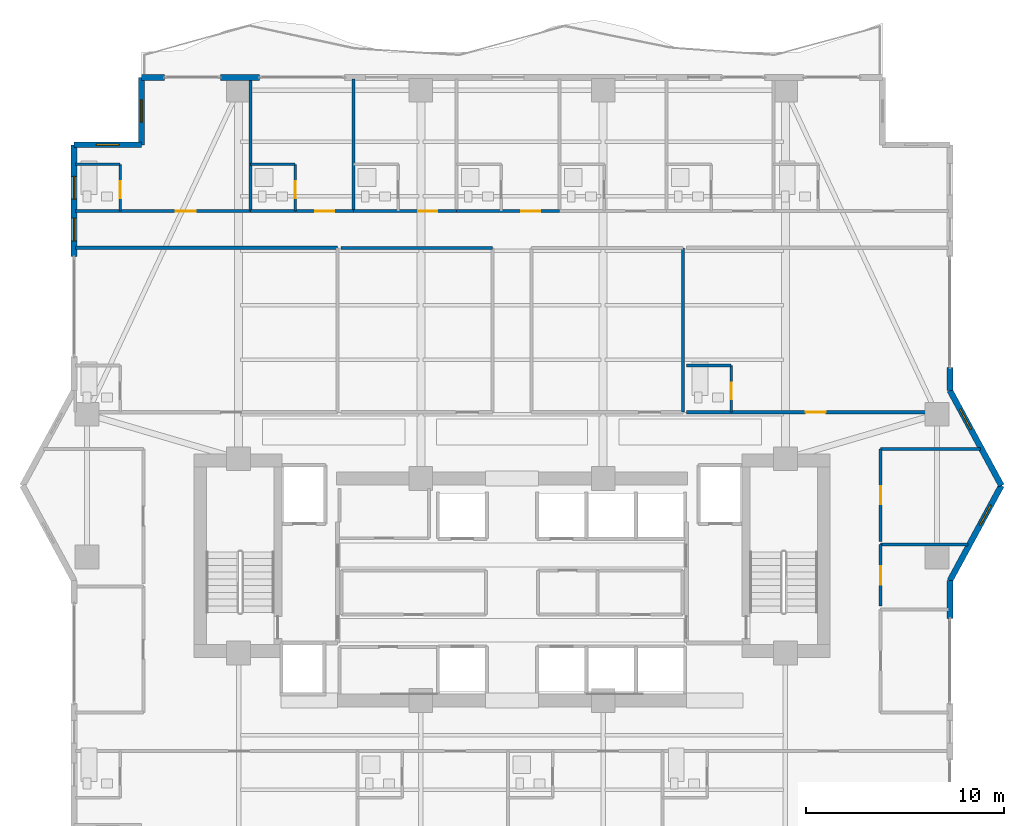
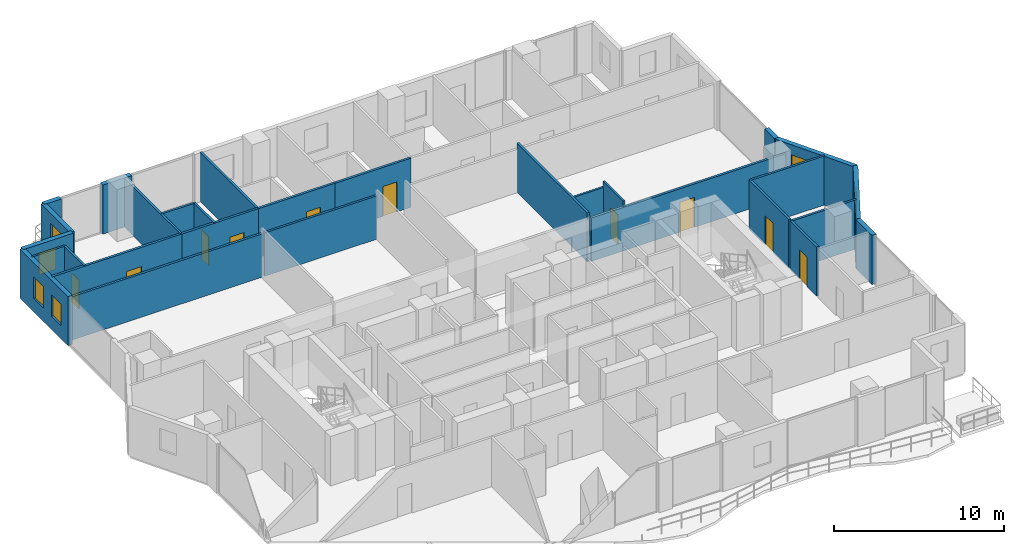
# One storey, part 27 of 33: 29 walls, 10 doors, 6 windows, 16 openings.
"""IFC4 building model written with IfcOpenShell, lengths in metres."""

import ifcopenshell
import ifcopenshell.guid

model = None  # the IFC model being written
_history = None  # IfcOwnerHistory: only IFC2X3 demands one
_inside = {}  # id of a spatial element -> (the spatial element, [elements in it])
_under = {}  # id of a project, library or spatial element -> (it, [spatial elements below it])
_declared = {}  # id of a project -> (the project, [libraries it declares])
_typed = {}  # id of a type object -> (the type object, [elements of that type])
_made_of = {}  # id of a material, layer set ... -> (it, [elements and type objects made of it])


def new_model(schema):
    """Start an empty IFC model of exactly this schema.

    Asked for "IFC4X3", IfcOpenShell would pick the latest addendum, in which some entities
    have other attributes; the version numbers below select the first issue.
    IFC2X3 requires an IfcOwnerHistory on every rooted entity: one is made here for all.
    """
    global model, _history
    if schema == "IFC4X3":
        model = ifcopenshell.file(schema_version=(4, 3, 0, 0))
    else:
        model = ifcopenshell.file(schema=schema)
    _inside.clear()
    _under.clear()
    _declared.clear()
    _typed.clear()
    _made_of.clear()
    _history = None
    if model.schema == "IFC2X3":
        org = make("IfcOrganization", Name="unknown")
        user = make(
            "IfcPersonAndOrganization",
            ThePerson=make("IfcPerson", FamilyName="unknown"),
            TheOrganization=org,
        )
        app = make(
            "IfcApplication",
            ApplicationDeveloper=org,
            Version="unknown",
            ApplicationFullName="unknown",
            ApplicationIdentifier="unknown",
        )
        _history = make(
            "IfcOwnerHistory",
            OwningUser=user,
            OwningApplication=app,
            ChangeAction="ADDED",
            CreationDate=0,
        )
    return model


def make(cls, **values):
    """One entity of the class cls with the attributes given. An attribute that is None is left unset."""
    return model.create_entity(
        cls, **{name: value for name, value in values.items() if value is not None}
    )


def rooted(cls, **values):
    """An entity with a GlobalId (a new one), such as an element, a storey or a relation."""
    return make(cls, GlobalId=ifcopenshell.guid.new(), OwnerHistory=_history, **values)


def si_unit(unit_type, name, prefix=None):
    """IfcSIUnit, for example si_unit("LENGTHUNIT", "METRE", prefix="MILLI")."""
    return make("IfcSIUnit", UnitType=unit_type, Prefix=prefix, Name=name)


def assignment(units):
    """IfcUnitAssignment: the units of a project."""
    return None if units is None else make("IfcUnitAssignment", Units=units)


def point(xyz):
    """IfcCartesianPoint."""
    return None if xyz is None else make("IfcCartesianPoint", Coordinates=xyz)


def direction(xyz):
    """IfcDirection."""
    return None if xyz is None else make("IfcDirection", DirectionRatios=xyz)


def frame(location, z_axis=None, x_axis=None):
    """IfcAxis2Placement3D, a coordinate frame: its origin and axes. An axis left out is left unset."""
    return make(
        "IfcAxis2Placement3D",
        Location=point(location),
        Axis=direction(z_axis),
        RefDirection=direction(x_axis),
    )


def frame_2d(location, x_axis=None):
    """IfcAxis2Placement2D, a coordinate frame in the plane: its origin and x axis."""
    return make(
        "IfcAxis2Placement2D", Location=point(location), RefDirection=direction(x_axis)
    )


def origin():
    """The frame at (0, 0, 0) with its axes left unset."""
    return frame((0.0, 0.0, 0.0))


def place(relative_to, where):
    """IfcLocalPlacement: puts the frame where relative to a parent placement (None: the world)."""
    return make(
        "IfcLocalPlacement", PlacementRelTo=relative_to, RelativePlacement=where
    )


def context(
    kind, dimensions, precision=None, world=None, true_north=None, identifier=None
):
    """IfcGeometricRepresentationContext, for example the 3D "Model" context."""
    return make(
        "IfcGeometricRepresentationContext",
        ContextIdentifier=identifier,
        ContextType=kind,
        CoordinateSpaceDimension=dimensions,
        Precision=precision,
        WorldCoordinateSystem=world,
        TrueNorth=true_north,
    )


def subcontext(parent, identifier, kind, view, scale=None):
    """IfcGeometricRepresentationSubContext, for example "Body" below "Model"."""
    return make(
        "IfcGeometricRepresentationSubContext",
        ContextIdentifier=identifier,
        ContextType=kind,
        ParentContext=parent,
        TargetScale=scale,
        TargetView=view,
    )


def project(units=None, contexts=None):
    """IfcProject with its units and contexts."""
    return rooted(
        "IfcProject",
        Name="project",
        RepresentationContexts=contexts,
        UnitsInContext=assignment(units),
    )


def spatial(cls, under=None, at=None, **own):
    """A site, building, storey or space (cls), placed at a placement, below another one or the project."""
    s = rooted(cls, ObjectPlacement=at, **own)
    if under is not None:
        _under.setdefault(under.id(), (under, []))[1].append(s)
    return s


def profile(cls, at=None, kind="AREA", **sizes):
    """A parametric profile (cls). Its sizes go by their IFC names, for example OverallWidth=200.0."""
    return make(cls, ProfileType=kind, Position=at, **sizes)


def rectangle(**sizes):
    """IfcRectangleProfileDef."""
    return profile("IfcRectangleProfileDef", **sizes)


def extrude(swept, where, along, depth):
    """IfcExtrudedAreaSolid: the profile swept, set in the frame where, extruded along a direction by depth."""
    return make(
        "IfcExtrudedAreaSolid",
        SweptArea=swept,
        Position=where,
        ExtrudedDirection=direction(along),
        Depth=depth,
    )


def shape(context_of_items, identifier, shape_type, items):
    """IfcShapeRepresentation: the items that make up one representation, for example the "Body"."""
    return make(
        "IfcShapeRepresentation",
        ContextOfItems=context_of_items,
        RepresentationIdentifier=identifier,
        RepresentationType=shape_type,
        Items=items,
    )


def material(Name=None, Category=None):
    """IfcMaterial."""
    return make("IfcMaterial", Name=Name, Category=Category)


def layer(
    of_material, thickness, ventilated=None, Name=None, Category=None, Priority=None
):
    """IfcMaterialLayer: one layer of a wall or slab, of a material (None: an air gap)."""
    return make(
        "IfcMaterialLayer",
        Material=of_material,
        LayerThickness=thickness,
        IsVentilated=ventilated,
        Name=Name,
        Category=Category,
        Priority=Priority,
    )


def layer_set(layers, Name=None):
    """IfcMaterialLayerSet."""
    return make("IfcMaterialLayerSet", MaterialLayers=layers, LayerSetName=Name)


def made_of(thing, what):
    """Note that an element or type object is made of a material, layer set ...; save() writes the relation."""
    if what is not None:
        _made_of.setdefault(what.id(), (what, []))[1].append(thing)
    return thing


def type_object(cls, material=None, **own):
    """A type object (cls), such as IfcWallType, which elements share."""
    return made_of(rooted(cls, **own), material)


def element(
    cls,
    number,
    at=None,
    inside=None,
    cuts=None,
    type_object=None,
    material=None,
    context=None,
    identifier="Body",
    shape_type=None,
    held_by="IfcProductDefinitionShape",
    body=None,
    shapes=None,
    **own,
):
    """One element of the class cls, such as IfcWall. Its Tag is "e" and its number.

    at: its placement. inside: the storey or other place that contains it. cuts: it is an
    opening in that element (IfcRelVoidsElement). A single representation is given by context,
    identifier, shape_type and body (its items); several are given by shapes. held_by: the class
    of the entity that holds the representations. save() writes the other relations.
    """
    e = rooted(cls, Tag="e%d" % number, ObjectPlacement=at, **own)
    if body is not None:
        shapes = [shape(context, identifier, shape_type, body)]
    if shapes is not None:
        e.Representation = make(held_by, Representations=shapes)
    if inside is not None:
        _inside.setdefault(inside.id(), (inside, []))[1].append(e)
    if cuts is not None:
        rooted(
            "IfcRelVoidsElement", RelatingBuildingElement=cuts, RelatedOpeningElement=e
        )
    if type_object is not None:
        _typed.setdefault(type_object.id(), (type_object, []))[1].append(e)
    return made_of(e, material)


def fill(opening, filler):
    """IfcRelFillsElement: the door or window that sits in an opening."""
    return rooted(
        "IfcRelFillsElement",
        RelatingOpeningElement=opening,
        RelatedBuildingElement=filler,
    )


def aggregate(whole, parts):
    """IfcRelAggregates: a whole, such as a stair, and the parts it consists of."""
    return rooted("IfcRelAggregates", RelatingObject=whole, RelatedObjects=parts)


def save(model, path):
    """Write the relations noted so far, then the file.

    IfcRelAggregates (storeys below a building ...), IfcRelContainedInSpatialStructure (elements
    in a storey), IfcRelDefinesByType, IfcRelAssociatesMaterial and IfcRelDeclares: one each for
    every whole, place, type object, material and project.
    """
    for whole, parts in _under.values():
        aggregate(whole, parts)
    for where, things in _inside.values():
        rooted(
            "IfcRelContainedInSpatialStructure",
            RelatedElements=things,
            RelatingStructure=where,
        )
    for kind, things in _typed.values():
        rooted("IfcRelDefinesByType", RelatedObjects=things, RelatingType=kind)
    for what, things in _made_of.values():
        rooted("IfcRelAssociatesMaterial", RelatedObjects=things, RelatingMaterial=what)
    for by, libraries in _declared.values():
        rooted("IfcRelDeclares", RelatingContext=by, RelatedDefinitions=libraries)
    model.write(path)


model = new_model("IFC4")

# Units and contexts
model_context = context("Model", 3, precision=1e-05, world=origin(), true_north=direction((0.0, 1.0)))
body_context = subcontext(model_context, "Body", "Model", "MODEL_VIEW")
ifc_project = project(units=[si_unit("LENGTHUNIT", "METRE"), si_unit("AREAUNIT", "SQUARE_METRE"), si_unit("VOLUMEUNIT", "CUBIC_METRE"), si_unit("PLANEANGLEUNIT", "RADIAN"), si_unit("MASSUNIT", "GRAM", prefix="KILO")], contexts=[model_context])

# Site, building, storey
site_placement = place(None, origin())
site = spatial("IfcSite", under=ifc_project, at=site_placement, CompositionType="ELEMENT")
building_placement = place(site_placement, origin())
building = spatial("IfcBuilding", under=site, at=building_placement, Name="Zuhayl Quay Hotel", CompositionType="ELEMENT")
storey_placement = place(building_placement, frame((0.0, 0.0, 199.89990234375)))
storey = spatial("IfcBuildingStorey", under=building, at=storey_placement, Name="L50", CompositionType="ELEMENT", Elevation=199.89990234375)

# Wall, openings, windows
ifc_material_1 = material(Name="Precast concrete C45/55", Category="concrete")
ifc_layer_1 = layer(ifc_material_1, 0.300048828125, Name="Precast concrete C45/55", Category="concrete")
ifc_layer_set_1 = layer_set([ifc_layer_1], Name="Precast concrete C45/55")
wall_type_1 = type_object("IfcWallType", Name="WL_EXT_300", PredefinedType="STANDARD", material=ifc_layer_set_1)
wall_1_placement = place(storey_placement, frame((-22.10009765625, 24.550048828125, 0.0), z_axis=(0.0, 0.0, 1.0), x_axis=(0.0, 1.0, 0.0)))
wall_1 = element("IfcWall", 1, at=wall_1_placement, inside=storey, type_object=wall_type_1, Name="L50 Exterior Precast Wall ENV_L50_E05_EW2", PredefinedType="STANDARD", context=body_context, shape_type="SweptSolid", body=[
    extrude(rectangle(XDim=5.64990234375, YDim=0.300048828125, at=frame_2d((2.824951171875, 0.0))), origin(), (0.0, 0.0, 1.0), 3.530029296875),
])
opening_1_placement = place(wall_1_placement, frame((0.800048828125, 0.0, 0.949951171875)))
opening_1 = element("IfcOpeningElement", 2, at=opening_1_placement, cuts=wall_1, Name="Opening W01N", PredefinedType="OPENING", context=body_context, shape_type="SweptSolid", body=[
    extrude(rectangle(XDim=1.14990234375, YDim=1.550048828125, at=frame_2d((0.574951171875, 0.77490234375))), frame((0.0, 0.159912109375, 0.0), z_axis=(0.0, -1.0, 0.0), x_axis=(1.0, 0.0, 0.0)), (0.0, 0.0, 1.0), 0.320068359375),
])
opening_2_placement = place(wall_1_placement, frame((2.905029296875, 0.0, 0.949951171875)))
opening_2 = element("IfcOpeningElement", 3, at=opening_2_placement, cuts=wall_1, Name="Opening W01N", PredefinedType="OPENING", context=body_context, shape_type="SweptSolid", body=[
    extrude(rectangle(XDim=1.14990234375, YDim=1.550048828125, at=frame_2d((0.574951171875, 0.77490234375))), frame((0.0, 0.159912109375, 0.0), z_axis=(0.0, -1.0, 0.0), x_axis=(1.0, 0.0, 0.0)), (0.0, 0.0, 1.0), 0.320068359375),
])
ifc_material_2 = material(Name="Dark Ceramic-Fritted Solar Glass", Category="glass")
window_type = type_object("IfcWindowType", Name="WN_NOTCH_1350", PartitioningType="SINGLE_PANEL", PredefinedType="WINDOW", material=ifc_material_2)
window_1_placement = place(opening_1_placement, origin())
window_1 = element("IfcWindow", 4, at=window_1_placement, inside=storey, type_object=window_type, Name="L50 Operable Facade Window 2-1", OverallHeight=1.550048828125, OverallWidth=1.14990234375, PartitioningType="SINGLE_PANEL", PredefinedType="WINDOW", context=body_context, shape_type="SweptSolid", body=[
    extrude(rectangle(XDim=1.14990234375, YDim=1.550048828125, at=frame_2d((0.574951171875, 0.77490234375))), frame((0.0, 0.030029296875, 0.0), z_axis=(0.0, -1.0, 0.0), x_axis=(1.0, 0.0, 0.0)), (0.0, 0.0, 1.0), 0.06005859375),
])
fill(opening_1, window_1)
window_2_placement = place(opening_2_placement, origin())
window_2 = element("IfcWindow", 5, at=window_2_placement, inside=storey, type_object=window_type, Name="L50 Operable Facade Window 2-2", OverallHeight=1.550048828125, OverallWidth=1.14990234375, PartitioningType="SINGLE_PANEL", PredefinedType="WINDOW", context=body_context, shape_type="SweptSolid", body=[
    extrude(rectangle(XDim=1.14990234375, YDim=1.550048828125, at=frame_2d((0.574951171875, 0.77490234375))), frame((0.0, 0.030029296875, 0.0), z_axis=(0.0, -1.0, 0.0), x_axis=(1.0, 0.0, 0.0)), (0.0, 0.0, 1.0), 0.06005859375),
])
fill(opening_2, window_2)

# Wall, opening, window
wall_2_placement = place(storey_placement, frame((-22.10009765625, 30.199951171875, 0.0), z_axis=(0.0, 0.0, 1.0), x_axis=(1.0, 0.0, 0.0)))
wall_2 = element("IfcWall", 6, at=wall_2_placement, inside=storey, type_object=wall_type_1, Name="L50 Exterior Precast Wall ENV_L50_EW06", PredefinedType="STANDARD", context=body_context, shape_type="SweptSolid", body=[
    extrude(rectangle(XDim=3.400146484375, YDim=0.300048828125, at=frame_2d((1.7001953125, 0.0))), origin(), (0.0, 0.0, 1.0), 3.530029296875),
])
opening_3_placement = place(wall_2_placement, frame((1.125, 0.0, 1.25)))
opening_3 = element("IfcOpeningElement", 7, at=opening_3_placement, cuts=wall_2, Name="Opening W01N", PredefinedType="OPENING", context=body_context, shape_type="SweptSolid", body=[
    extrude(rectangle(XDim=1.14990234375, YDim=1.550048828125, at=frame_2d((0.574951171875, 0.77490234375))), frame((0.0, 0.159912109375, 0.0), z_axis=(0.0, -1.0, 0.0), x_axis=(1.0, 0.0, 0.0)), (0.0, 0.0, 1.0), 0.320068359375),
])
window_3_placement = place(opening_3_placement, origin())
window_3 = element("IfcWindow", 8, at=window_3_placement, inside=storey, type_object=window_type, Name="L50 Corner Notch Window 6", OverallHeight=1.550048828125, OverallWidth=1.14990234375, PartitioningType="SINGLE_PANEL", PredefinedType="WINDOW", context=body_context, shape_type="SweptSolid", body=[
    extrude(rectangle(XDim=1.14990234375, YDim=1.550048828125, at=frame_2d((0.574951171875, 0.77490234375))), frame((0.0, 0.030029296875, 0.0), z_axis=(0.0, -1.0, 0.0), x_axis=(1.0, 0.0, 0.0)), (0.0, 0.0, 1.0), 0.06005859375),
])
fill(opening_3, window_3)

wall_3_placement = place(storey_placement, frame((-18.699951171875, 30.199951171875, 0.0), z_axis=(0.0, 0.0, 1.0), x_axis=(0.0, 1.0, 0.0)))
wall_3 = element("IfcWall", 9, at=wall_3_placement, inside=storey, type_object=wall_type_1, Name="L50 Exterior Precast Wall ENV_L50_EW07", PredefinedType="STANDARD", context=body_context, shape_type="SweptSolid", body=[
    extrude(rectangle(XDim=3.400146484375, YDim=0.300048828125, at=frame_2d((1.7001953125, 0.0))), origin(), (0.0, 0.0, 1.0), 3.530029296875),
])
opening_4_placement = place(wall_3_placement, frame((1.125, 0.0, 1.25)))
opening_4 = element("IfcOpeningElement", 10, at=opening_4_placement, cuts=wall_3, Name="Opening W01N", PredefinedType="OPENING", context=body_context, shape_type="SweptSolid", body=[
    extrude(rectangle(XDim=1.14990234375, YDim=1.550048828125, at=frame_2d((0.574951171875, 0.77490234375))), frame((0.0, 0.159912109375, 0.0), z_axis=(0.0, -1.0, 0.0), x_axis=(1.0, 0.0, 0.0)), (0.0, 0.0, 1.0), 0.320068359375),
])
window_4_placement = place(opening_4_placement, origin())
window_4 = element("IfcWindow", 11, at=window_4_placement, inside=storey, type_object=window_type, Name="L50 Corner Notch Window 7", OverallHeight=1.550048828125, OverallWidth=1.14990234375, PartitioningType="SINGLE_PANEL", PredefinedType="WINDOW", context=body_context, shape_type="SweptSolid", body=[
    extrude(rectangle(XDim=1.14990234375, YDim=1.550048828125, at=frame_2d((0.574951171875, 0.77490234375))), frame((0.0, 0.030029296875, 0.0), z_axis=(0.0, -1.0, 0.0), x_axis=(1.0, 0.0, 0.0)), (0.0, 0.0, 1.0), 0.06005859375),
])
fill(opening_4, window_4)

# Walls
wall_4_placement = place(storey_placement, frame((-18.699951171875, 33.60009765625, 0.0), z_axis=(0.0, 0.0, 1.0), x_axis=(1.0, 0.0, 0.0)))
element("IfcWall", 12, at=wall_4_placement, inside=storey, type_object=wall_type_1, Name="L50 Exterior Precast Wall ENV_L50_N_EW1", PredefinedType="STANDARD", context=body_context, shape_type="SweptSolid", body=[
    extrude(rectangle(XDim=1.14990234375, YDim=0.300048828125, at=frame_2d((0.574951171875, 0.0))), origin(), (0.0, 0.0, 1.0), 3.530029296875),
])
wall_5_placement = place(storey_placement, frame((-14.719970703125, 33.60009765625, 0.0), z_axis=(0.0, 0.0, 1.0), x_axis=(1.0, 0.0, 0.0)))
element("IfcWall", 13, at=wall_5_placement, inside=storey, type_object=wall_type_1, Name="L50 Exterior Precast Wall ENV_L50_N_EW2", PredefinedType="STANDARD", context=body_context, shape_type="SweptSolid", body=[
    extrude(rectangle(XDim=1.969970703125, YDim=0.300048828125, at=frame_2d((0.98486328125, 0.0))), origin(), (0.0, 0.0, 1.0), 3.530029296875),
])
wall_6_placement = place(storey_placement, frame((22.10009765625, 18.949951171875, 0.0), z_axis=(0.0, 0.0, 1.0), x_axis=(0.0, -1.0, 0.0)))
element("IfcWall", 14, at=wall_6_placement, inside=storey, type_object=wall_type_1, Name="L50 Exterior Precast Wall ENV_L50_E11_EW2", PredefinedType="STANDARD", context=body_context, shape_type="SweptSolid", body=[
    extrude(rectangle(XDim=1.14990234375, YDim=0.300048828125, at=frame_2d((0.574951171875, 0.0))), origin(), (0.0, 0.0, 1.0), 3.530029296875),
])

# Wall, opening, window
wall_7_placement = place(storey_placement, frame((22.10009765625, 17.800048828125, 0.0), z_axis=(0.0, 0.0, 1.0), x_axis=(0.476258655584, -0.879305233114, 0.0)))
wall_7 = element("IfcWall", 15, at=wall_7_placement, inside=storey, type_object=wall_type_1, Name="L50 Exterior Precast Wall ENV_L50_EW12", PredefinedType="STANDARD", context=body_context, shape_type="SweptSolid", body=[
    extrude(rectangle(XDim=5.458984375, YDim=0.300048828125, at=frame_2d((2.7294921875, 0.0))), origin(), (0.0, 0.0, 1.0), 3.530029296875),
])
opening_5_placement = place(wall_7_placement, frame((1.078125, 0.0, 1.25)))
opening_5 = element("IfcOpeningElement", 16, at=opening_5_placement, cuts=wall_7, Name="Opening W01N", PredefinedType="OPENING", context=body_context, shape_type="SweptSolid", body=[
    extrude(rectangle(XDim=1.14990234375, YDim=1.550048828125, at=frame_2d((0.574951171875, 0.77490234375))), frame((0.0, 0.159912109375, 0.0), z_axis=(0.0, -1.0, 0.0), x_axis=(1.0, 0.0, 0.0)), (0.0, 0.0, 1.0), 0.320068359375),
])
window_5_placement = place(opening_5_placement, origin())
window_5 = element("IfcWindow", 17, at=window_5_placement, inside=storey, type_object=window_type, Name="L50 Corner Notch Window 12", OverallHeight=1.550048828125, OverallWidth=1.14990234375, PartitioningType="SINGLE_PANEL", PredefinedType="WINDOW", context=body_context, shape_type="SweptSolid", body=[
    extrude(rectangle(XDim=1.14990234375, YDim=1.550048828125, at=frame_2d((0.574951171875, 0.77490234375))), frame((0.0, 0.030029296875, 0.0), z_axis=(0.0, -1.0, 0.0), x_axis=(1.0, 0.0, 0.0)), (0.0, 0.0, 1.0), 0.06005859375),
])
fill(opening_5, window_5)

wall_8_placement = place(storey_placement, frame((24.699951171875, 13.0, 0.0), z_axis=(0.0, 0.0, 1.0), x_axis=(-0.476258655584, -0.879305233114, 0.0)))
wall_8 = element("IfcWall", 18, at=wall_8_placement, inside=storey, type_object=wall_type_1, Name="L50 Exterior Precast Wall ENV_L50_EW13", PredefinedType="STANDARD", context=body_context, shape_type="SweptSolid", body=[
    extrude(rectangle(XDim=5.458984375, YDim=0.300048828125, at=frame_2d((2.7294921875, 0.0))), origin(), (0.0, 0.0, 1.0), 3.530029296875),
])
opening_6_placement = place(wall_8_placement, frame((1.123779296875, 0.0, 1.25)))
opening_6 = element("IfcOpeningElement", 19, at=opening_6_placement, cuts=wall_8, Name="Opening W01N", PredefinedType="OPENING", context=body_context, shape_type="SweptSolid", body=[
    extrude(rectangle(XDim=1.14990234375, YDim=1.550048828125, at=frame_2d((0.574951171875, 0.77490234375))), frame((0.0, 0.159912109375, 0.0), z_axis=(0.0, -1.0, 0.0), x_axis=(1.0, 0.0, 0.0)), (0.0, 0.0, 1.0), 0.320068359375),
])
window_6_placement = place(opening_6_placement, origin())
window_6 = element("IfcWindow", 20, at=window_6_placement, inside=storey, type_object=window_type, Name="L50 Corner Notch Window 13", OverallHeight=1.550048828125, OverallWidth=1.14990234375, PartitioningType="SINGLE_PANEL", PredefinedType="WINDOW", context=body_context, shape_type="SweptSolid", body=[
    extrude(rectangle(XDim=1.14990234375, YDim=1.550048828125, at=frame_2d((0.574951171875, 0.77490234375))), frame((0.0, 0.030029296875, 0.0), z_axis=(0.0, -1.0, 0.0), x_axis=(1.0, 0.0, 0.0)), (0.0, 0.0, 1.0), 0.06005859375),
])
fill(opening_6, window_6)

# Walls
wall_9_placement = place(storey_placement, frame((22.10009765625, 8.199951171875, 0.0), z_axis=(0.0, 0.0, 1.0), x_axis=(0.0, -1.0, 0.0)))
element("IfcWall", 21, at=wall_9_placement, inside=storey, type_object=wall_type_1, Name="L50 Exterior Precast Wall ENV_L50_E14_EW1", PredefinedType="STANDARD", context=body_context, shape_type="SweptSolid", body=[
    extrude(rectangle(XDim=1.89990234375, YDim=0.300048828125, at=frame_2d((0.949951171875, 0.0))), origin(), (0.0, 0.0, 1.0), 3.530029296875),
])
ifc_material_3 = material(Name="Acoustic Gypsum Partition STC-58")
ifc_layer_2 = layer(ifc_material_3, 0.14990234375, Name="Acoustic Gypsum Partition STC-58")
ifc_layer_set_2 = layer_set([ifc_layer_2], Name="Acoustic Gypsum Partition STC-58")
wall_type_2 = type_object("IfcWallType", Name="WL_PART_150", PredefinedType="PARTITIONING", material=ifc_layer_set_2)
for number, where, z_axis, x_axis, name in (
    (22, (-13.199951171875, 26.85009765625, 0.0), (0.0, 0.0, 1.0), (0.0, 1.0, 0.0), "L50 Partition IW_L50_NU01_E"),
    (23, (-8.0, 26.85009765625, 0.0), (0.0, 0.0, 1.0), (0.0, 1.0, 0.0), "L50 Partition IW_L50_NU02_E"),
):
    element("IfcWall", number, at=place(storey_placement, frame(where, z_axis=z_axis, x_axis=x_axis)), inside=storey, type_object=wall_type_2, Name=name, PredefinedType="PARTITIONING", context=body_context, shape_type="SweptSolid", body=[
        extrude(rectangle(XDim=6.669921875, YDim=0.14990234375, at=frame_2d((3.3349609375, 0.0))), origin(), (0.0, 0.0, 1.0), 3.530029296875),
    ])
wall_10_placement = place(storey_placement, frame((-8.639892578125, 25.0, 0.0), z_axis=(0.0, 0.0, 1.0), x_axis=(1.0, 0.0, 0.0)))
element("IfcWall", 24, at=wall_10_placement, inside=storey, type_object=wall_type_2, Name="L50 Partition IW_L50_Z3_MID_W_N", PredefinedType="PARTITIONING", context=body_context, shape_type="SweptSolid", body=[
    extrude(rectangle(XDim=7.659912109375, YDim=0.14990234375, at=frame_2d((3.830078125, 0.0))), origin(), (0.0, 0.0, 1.0), 3.1240234375),
])
wall_11_placement = place(storey_placement, frame((8.639892578125, 16.699951171875, 0.0), z_axis=(0.0, 0.0, 1.0), x_axis=(0.0, 1.0, 0.0)))
element("IfcWall", 25, at=wall_11_placement, inside=storey, type_object=wall_type_2, Name="L50 Partition IW_L50_Z3_MID_E_E", PredefinedType="PARTITIONING", context=body_context, shape_type="SweptSolid", body=[
    extrude(rectangle(XDim=8.300048828125, YDim=0.14990234375, at=frame_2d((4.14990234375, 0.0))), origin(), (0.0, 0.0, 1.0), 3.530029296875),
])
wall_12_placement = place(storey_placement, frame((18.60009765625, 10.02001953125, 0.0), z_axis=(0.0, 0.0, 1.0), x_axis=(1.0, 0.0, 0.0)))
element("IfcWall", 26, at=wall_12_placement, inside=storey, type_object=wall_type_2, Name="L50 Partition IW_L50_EFLK_2_N", PredefinedType="PARTITIONING", context=body_context, shape_type="SweptSolid", body=[
    extrude(rectangle(XDim=4.42578125, YDim=0.14990234375, at=frame_2d((2.212890625, 0.0))), origin(), (0.0, 0.0, 1.0), 3.530029296875),
])
wall_13_placement = place(storey_placement, frame((18.60009765625, 14.85009765625, 0.0), z_axis=(0.0, 0.0, 1.0), x_axis=(1.0, 0.0, 0.0)))
element("IfcWall", 27, at=wall_13_placement, inside=storey, type_object=wall_type_2, Name="L50 Partition IW_L50_EFLK_3_N", PredefinedType="PARTITIONING", context=body_context, shape_type="SweptSolid", body=[
    extrude(rectangle(XDim=5.037841796875, YDim=0.14990234375, at=frame_2d((2.51904296875, 0.0))), origin(), (0.0, 0.0, 1.0), 3.530029296875),
])

# Wall, opening, door
ifc_layer_3 = layer(ifc_material_3, 0.159912109375, Name="Acoustic Gypsum Partition STC-58")
ifc_layer_set_3 = layer_set([ifc_layer_3], Name="Acoustic Gypsum Partition STC-58")
wall_type_3 = type_object("IfcWallType", Name="WL_PART_CORR_160", PredefinedType="PARTITIONING", material=ifc_layer_set_3)
wall_14_placement = place(storey_placement, frame((-22.0400390625, 26.85009765625, 0.0), z_axis=(0.0, 0.0, 1.0), x_axis=(1.0, 0.0, 0.0)))
wall_14 = element("IfcWall", 28, at=wall_14_placement, inside=storey, type_object=wall_type_3, Name="L50 Partition IW_L50_NU01_COR", PredefinedType="PARTITIONING", context=body_context, shape_type="SweptSolid", body=[
    extrude(rectangle(XDim=8.840087890625, YDim=0.159912109375, at=frame_2d((4.419921875, 0.0))), origin(), (0.0, 0.0, 1.0), 3.530029296875),
])
opening_7_placement = place(wall_14_placement, frame((5.070068359375, 0.0, 0.0)))
opening_7 = element("IfcOpeningElement", 29, at=opening_7_placement, cuts=wall_14, Name="Opening D03L", PredefinedType="OPENING", context=body_context, shape_type="SweptSolid", body=[
    extrude(rectangle(XDim=1.0, YDim=2.14990234375, at=frame_2d((0.5, 1.074951171875))), frame((0.0, 0.08984375, 0.0), z_axis=(0.0, -1.0, 0.0), x_axis=(1.0, 0.0, 0.0)), (0.0, 0.0, 1.0), 0.179931640625),
])
ifc_material_4 = material(Name="Solid Walnut Acoustic Fire Door")
door_type_1 = type_object("IfcDoorType", Name="DR_SUITE_1000", OperationType="NOTDEFINED", PredefinedType="DOOR", material=ifc_material_4)
door_1_placement = place(opening_7_placement, origin())
door_1 = element("IfcDoor", 30, at=door_1_placement, inside=storey, type_object=door_type_1, Name="L50 Panoramic Gulf Guest Room L50-01 Entrance Door", OperationType="SINGLE_SWING_RIGHT", OverallHeight=2.14990234375, OverallWidth=1.0, PredefinedType="DOOR", context=body_context, shape_type="SweptSolid", body=[
    extrude(rectangle(XDim=1.0, YDim=2.14990234375, at=frame_2d((0.5, 1.074951171875))), frame((0.0, 0.02490234375, 0.0), z_axis=(0.0, -1.0, 0.0), x_axis=(1.0, 0.0, 0.0)), (0.0, 0.0, 1.0), 0.050048828125),
])
fill(opening_7, door_1)

wall_15_placement = place(storey_placement, frame((-13.199951171875, 26.85009765625, 0.0), z_axis=(0.0, 0.0, 1.0), x_axis=(1.0, 0.0, 0.0)))
wall_15 = element("IfcWall", 31, at=wall_15_placement, inside=storey, type_object=wall_type_3, Name="L50 Partition IW_L50_NU02_COR", PredefinedType="PARTITIONING", context=body_context, shape_type="SweptSolid", body=[
    extrude(rectangle(XDim=5.199951171875, YDim=0.159912109375, at=frame_2d((2.60009765625, 0.0))), origin(), (0.0, 0.0, 1.0), 3.530029296875),
])
opening_8_placement = place(wall_15_placement, frame((3.27490234375, 0.0, 0.0)))
opening_8 = element("IfcOpeningElement", 32, at=opening_8_placement, cuts=wall_15, Name="Opening D03", PredefinedType="OPENING", context=body_context, shape_type="SweptSolid", body=[
    extrude(rectangle(XDim=0.949951171875, YDim=2.14990234375, at=frame_2d((0.47509765625, 1.074951171875))), frame((0.0, 0.08984375, 0.0), z_axis=(0.0, -1.0, 0.0), x_axis=(1.0, 0.0, 0.0)), (0.0, 0.0, 1.0), 0.179931640625),
])
door_type_2 = type_object("IfcDoorType", Name="DR_SUITE_950", OperationType="NOTDEFINED", PredefinedType="DOOR", material=ifc_material_4)
door_2_placement = place(opening_8_placement, origin())
door_2 = element("IfcDoor", 33, at=door_2_placement, inside=storey, type_object=door_type_2, Name="L50 Panoramic Gulf Guest Room L50-02 Entrance Door", OperationType="SINGLE_SWING_RIGHT", OverallHeight=2.14990234375, OverallWidth=0.949951171875, PredefinedType="DOOR", context=body_context, shape_type="SweptSolid", body=[
    extrude(rectangle(XDim=0.949951171875, YDim=2.14990234375, at=frame_2d((0.47509765625, 1.074951171875))), frame((0.0, 0.02490234375, 0.0), z_axis=(0.0, -1.0, 0.0), x_axis=(1.0, 0.0, 0.0)), (0.0, 0.0, 1.0), 0.050048828125),
])
fill(opening_8, door_2)

wall_16_placement = place(storey_placement, frame((-8.0, 26.85009765625, 0.0), z_axis=(0.0, 0.0, 1.0), x_axis=(1.0, 0.0, 0.0)))
wall_16 = element("IfcWall", 34, at=wall_16_placement, inside=storey, type_object=wall_type_3, Name="L50 Partition IW_L50_NU03_COR", PredefinedType="PARTITIONING", context=body_context, shape_type="SweptSolid", body=[
    extrude(rectangle(XDim=5.199951171875, YDim=0.159912109375, at=frame_2d((2.60009765625, 0.0))), origin(), (0.0, 0.0, 1.0), 3.530029296875),
])
opening_9_placement = place(wall_16_placement, frame((3.27490234375, 0.0, 0.0)))
opening_9 = element("IfcOpeningElement", 35, at=opening_9_placement, cuts=wall_16, Name="Opening D03", PredefinedType="OPENING", context=body_context, shape_type="SweptSolid", body=[
    extrude(rectangle(XDim=0.949951171875, YDim=2.14990234375, at=frame_2d((0.47509765625, 1.074951171875))), frame((0.0, 0.08984375, 0.0), z_axis=(0.0, -1.0, 0.0), x_axis=(1.0, 0.0, 0.0)), (0.0, 0.0, 1.0), 0.179931640625),
])
door_3_placement = place(opening_9_placement, origin())
door_3 = element("IfcDoor", 36, at=door_3_placement, inside=storey, type_object=door_type_2, Name="L50 Panoramic Gulf Guest Room L50-03 Entrance Door", OperationType="SINGLE_SWING_RIGHT", OverallHeight=2.14990234375, OverallWidth=0.949951171875, PredefinedType="DOOR", context=body_context, shape_type="SweptSolid", body=[
    extrude(rectangle(XDim=0.949951171875, YDim=2.14990234375, at=frame_2d((0.47509765625, 1.074951171875))), frame((0.0, 0.02490234375, 0.0), z_axis=(0.0, -1.0, 0.0), x_axis=(1.0, 0.0, 0.0)), (0.0, 0.0, 1.0), 0.050048828125),
])
fill(opening_9, door_3)

wall_17_placement = place(storey_placement, frame((-2.800048828125, 26.85009765625, 0.0), z_axis=(0.0, 0.0, 1.0), x_axis=(1.0, 0.0, 0.0)))
wall_17 = element("IfcWall", 37, at=wall_17_placement, inside=storey, type_object=wall_type_3, Name="L50 Partition IW_L50_NU04_COR", PredefinedType="PARTITIONING", context=body_context, shape_type="SweptSolid", body=[
    extrude(rectangle(XDim=5.199951171875, YDim=0.159912109375, at=frame_2d((2.60009765625, 0.0))), origin(), (0.0, 0.0, 1.0), 3.530029296875),
])
opening_10_placement = place(wall_17_placement, frame((3.27490234375, 0.0, 0.0)))
opening_10 = element("IfcOpeningElement", 38, at=opening_10_placement, cuts=wall_17, Name="Opening D03", PredefinedType="OPENING", context=body_context, shape_type="SweptSolid", body=[
    extrude(rectangle(XDim=0.949951171875, YDim=2.14990234375, at=frame_2d((0.47509765625, 1.074951171875))), frame((0.0, 0.08984375, 0.0), z_axis=(0.0, -1.0, 0.0), x_axis=(1.0, 0.0, 0.0)), (0.0, 0.0, 1.0), 0.179931640625),
])
door_4_placement = place(opening_10_placement, origin())
door_4 = element("IfcDoor", 39, at=door_4_placement, inside=storey, type_object=door_type_2, Name="L50 Panoramic Gulf Guest Room L50-04 Entrance Door", OperationType="SINGLE_SWING_RIGHT", OverallHeight=2.14990234375, OverallWidth=0.949951171875, PredefinedType="DOOR", context=body_context, shape_type="SweptSolid", body=[
    extrude(rectangle(XDim=0.949951171875, YDim=2.14990234375, at=frame_2d((0.47509765625, 1.074951171875))), frame((0.0, 0.02490234375, 0.0), z_axis=(0.0, -1.0, 0.0), x_axis=(1.0, 0.0, 0.0)), (0.0, 0.0, 1.0), 0.050048828125),
])
fill(opening_10, door_4)

wall_18_placement = place(storey_placement, frame((8.800048828125, 16.699951171875, 0.0), z_axis=(0.0, 0.0, 1.0), x_axis=(1.0, 0.0, 0.0)))
wall_18 = element("IfcWall", 40, at=wall_18_placement, inside=storey, type_object=wall_type_3, Name="L50 Partition IW_L50_MU04_COR", PredefinedType="PARTITIONING", context=body_context, shape_type="SweptSolid", body=[
    extrude(rectangle(XDim=13.239990234375, YDim=0.159912109375, at=frame_2d((6.6201171875, 0.0))), origin(), (0.0, 0.0, 1.0), 3.1240234375),
])
opening_11_placement = place(wall_18_placement, frame((6.02490234375, 0.0, 0.0)))
opening_11 = element("IfcOpeningElement", 41, at=opening_11_placement, cuts=wall_18, Name="Opening D03L", PredefinedType="OPENING", context=body_context, shape_type="SweptSolid", body=[
    extrude(rectangle(XDim=1.0, YDim=2.14990234375, at=frame_2d((0.5, 1.074951171875))), frame((0.0, 0.08984375, 0.0), z_axis=(0.0, -1.0, 0.0), x_axis=(1.0, 0.0, 0.0)), (0.0, 0.0, 1.0), 0.179931640625),
])
door_5_placement = place(opening_11_placement, origin())
door_5 = element("IfcDoor", 42, at=door_5_placement, inside=storey, type_object=door_type_1, Name="L50 Club Junior Suite L50-M4 Entrance Door", OperationType="SINGLE_SWING_RIGHT", OverallHeight=2.14990234375, OverallWidth=1.0, PredefinedType="DOOR", context=body_context, shape_type="SweptSolid", body=[
    extrude(rectangle(XDim=1.0, YDim=2.14990234375, at=frame_2d((0.5, 1.074951171875))), frame((0.0, 0.02490234375, 0.0), z_axis=(0.0, -1.0, 0.0), x_axis=(1.0, 0.0, 0.0)), (0.0, 0.0, 1.0), 0.050048828125),
])
fill(opening_11, door_5)

wall_19_placement = place(storey_placement, frame((18.60009765625, 6.909912109375, 0.0), z_axis=(0.0, 0.0, 1.0), x_axis=(0.0, 1.0, 0.0)))
wall_19 = element("IfcWall", 43, at=wall_19_placement, inside=storey, type_object=wall_type_3, Name="L50 Partition IW_L50_EFLK_2_W", PredefinedType="PARTITIONING", context=body_context, shape_type="SweptSolid", body=[
    extrude(rectangle(XDim=3.110107421875, YDim=0.159912109375, at=frame_2d((1.55517578125, 0.0))), origin(), (0.0, 0.0, 1.0), 3.530029296875),
])
opening_12_placement = place(wall_19_placement, frame((1.094970703125, 0.0, 0.0)))
opening_12 = element("IfcOpeningElement", 44, at=opening_12_placement, cuts=wall_19, Name="Opening D05", PredefinedType="OPENING", context=body_context, shape_type="SweptSolid", body=[
    extrude(rectangle(XDim=0.919921875, YDim=2.1201171875, at=frame_2d((0.4599609375, 1.06005859375))), frame((0.0, 0.08984375, 0.0), z_axis=(0.0, -1.0, 0.0), x_axis=(1.0, 0.0, 0.0)), (0.0, 0.0, 1.0), 0.179931640625),
])
door_type_3 = type_object("IfcDoorType", Name="DR_INT_950", OperationType="NOTDEFINED", PredefinedType="DOOR", material=ifc_material_4)
door_6_placement = place(opening_12_placement, origin())
door_6 = element("IfcDoor", 45, at=door_6_placement, inside=storey, type_object=door_type_3, Name="L50 Floor Beverage Pantry Door", OperationType="SINGLE_SWING_RIGHT", OverallHeight=2.1201171875, OverallWidth=0.919921875, PredefinedType="DOOR", context=body_context, shape_type="SweptSolid", body=[
    extrude(rectangle(XDim=0.919921875, YDim=2.1201171875, at=frame_2d((0.4599609375, 1.06005859375))), frame((0.0, 0.02490234375, 0.0), z_axis=(0.0, -1.0, 0.0), x_axis=(1.0, 0.0, 0.0)), (0.0, 0.0, 1.0), 0.050048828125),
])
fill(opening_12, door_6)

wall_20_placement = place(storey_placement, frame((18.60009765625, 10.179931640625, 0.0), z_axis=(0.0, 0.0, 1.0), x_axis=(0.0, 1.0, 0.0)))
wall_20 = element("IfcWall", 46, at=wall_20_placement, inside=storey, type_object=wall_type_3, Name="L50 Partition IW_L50_EFLK_3_W", PredefinedType="PARTITIONING", context=body_context, shape_type="SweptSolid", body=[
    extrude(rectangle(XDim=4.670166015625, YDim=0.159912109375, at=frame_2d((2.3349609375, 0.0))), origin(), (0.0, 0.0, 1.0), 3.530029296875),
])
opening_13_placement = place(wall_20_placement, frame((1.875, 0.0, 0.0)))
opening_13 = element("IfcOpeningElement", 47, at=opening_13_placement, cuts=wall_20, Name="Opening D05", PredefinedType="OPENING", context=body_context, shape_type="SweptSolid", body=[
    extrude(rectangle(XDim=0.919921875, YDim=2.1201171875, at=frame_2d((0.4599609375, 1.06005859375))), frame((0.0, 0.08984375, 0.0), z_axis=(0.0, -1.0, 0.0), x_axis=(1.0, 0.0, 0.0)), (0.0, 0.0, 1.0), 0.179931640625),
])
door_7_placement = place(opening_13_placement, origin())
door_7 = element("IfcDoor", 48, at=door_7_placement, inside=storey, type_object=door_type_3, Name="L50 East Prow Office L50 Door", OperationType="SINGLE_SWING_LEFT", OverallHeight=2.1201171875, OverallWidth=0.919921875, PredefinedType="DOOR", context=body_context, shape_type="SweptSolid", body=[
    extrude(rectangle(XDim=0.919921875, YDim=2.1201171875, at=frame_2d((0.4599609375, 1.06005859375))), frame((0.0, 0.02490234375, 0.0), z_axis=(0.0, -1.0, 0.0), x_axis=(1.0, 0.0, 0.0)), (0.0, 0.0, 1.0), 0.050048828125),
])
fill(opening_13, door_7)

# Wall
wall_21_placement = place(storey_placement, frame((-22.0400390625, 25.0, 0.0), z_axis=(0.0, 0.0, 1.0), x_axis=(1.0, 0.0, 0.0)))
element("IfcWall", 49, at=wall_21_placement, inside=storey, type_object=wall_type_3, Name="L50 Partition IW_L50_MU01_BK", PredefinedType="PARTITIONING", context=body_context, shape_type="SweptSolid", body=[
    extrude(rectangle(XDim=13.239990234375, YDim=0.159912109375, at=frame_2d((6.6201171875, 0.0))), origin(), (0.0, 0.0, 1.0), 3.1240234375),
])

# Wall, opening, door
ifc_material_5 = material(Name="Moisture-Resistant Sanitarychase Gypsum")
ifc_layer_4 = layer(ifc_material_5, 0.135009765625, Name="Moisture-Resistant Sanitarychase Gypsum")
ifc_layer_set_4 = layer_set([ifc_layer_4], Name="Moisture-Resistant Sanitarychase Gypsum")
wall_type_4 = type_object("IfcWallType", Name="WL_PART_PLUMB_150", PredefinedType="PLUMBINGWALL", material=ifc_layer_set_4)
wall_22_placement = place(storey_placement, frame((-19.780029296875, 26.85009765625, 0.0), z_axis=(0.0, 0.0, 1.0), x_axis=(0.0, 1.0, 0.0)))
wall_22 = element("IfcWall", 50, at=wall_22_placement, inside=storey, type_object=wall_type_4, Name="L50 Partition IW_L50_NU01_BE", PredefinedType="PLUMBINGWALL", context=body_context, shape_type="SweptSolid", body=[
    extrude(rectangle(XDim=2.35986328125, YDim=0.135009765625, at=frame_2d((1.179931640625, 0.0))), origin(), (0.0, 0.0, 1.0), 3.530029296875),
])
opening_14_placement = place(wall_22_placement, frame((0.64990234375, 0.0, 0.0)))
opening_14 = element("IfcOpeningElement", 51, at=opening_14_placement, cuts=wall_22, Name="Opening D04", PredefinedType="OPENING", context=body_context, shape_type="SweptSolid", body=[
    extrude(rectangle(XDim=0.85009765625, YDim=2.10009765625, at=frame_2d((0.425048828125, 1.050048828125))), frame((0.0, 0.077392578125, 0.0), z_axis=(0.0, -1.0, 0.0), x_axis=(1.0, 0.0, 0.0)), (0.0, 0.0, 1.0), 0.155029296875),
])
ifc_material_6 = material(Name="Moisture-Resistant Walnut Veneer")
door_type_4 = type_object("IfcDoorType", Name="DR_BATH_850", OperationType="NOTDEFINED", PredefinedType="DOOR", material=ifc_material_6)
door_8_placement = place(opening_14_placement, origin())
door_8 = element("IfcDoor", 52, at=door_8_placement, inside=storey, type_object=door_type_4, Name="L50 Panoramic Gulf Guest Room L50-01 En-Suite Door", OperationType="SINGLE_SWING_LEFT", OverallHeight=2.10009765625, OverallWidth=0.85009765625, PredefinedType="DOOR", context=body_context, shape_type="SweptSolid", body=[
    extrude(rectangle(XDim=0.85009765625, YDim=2.10009765625, at=frame_2d((0.425048828125, 1.050048828125))), frame((0.0, 0.02490234375, 0.0), z_axis=(0.0, -1.0, 0.0), x_axis=(1.0, 0.0, 0.0)), (0.0, 0.0, 1.0), 0.050048828125),
])
fill(opening_14, door_8)

wall_23_placement = place(storey_placement, frame((-10.93994140625, 26.85009765625, 0.0), z_axis=(0.0, 0.0, 1.0), x_axis=(0.0, 1.0, 0.0)))
wall_23 = element("IfcWall", 53, at=wall_23_placement, inside=storey, type_object=wall_type_4, Name="L50 Partition IW_L50_NU02_BE", PredefinedType="PLUMBINGWALL", context=body_context, shape_type="SweptSolid", body=[
    extrude(rectangle(XDim=2.35986328125, YDim=0.135009765625, at=frame_2d((1.179931640625, 0.0))), origin(), (0.0, 0.0, 1.0), 3.530029296875),
])
opening_15_placement = place(wall_23_placement, frame((0.64990234375, 0.0, 0.0)))
opening_15 = element("IfcOpeningElement", 54, at=opening_15_placement, cuts=wall_23, Name="Opening D04", PredefinedType="OPENING", context=body_context, shape_type="SweptSolid", body=[
    extrude(rectangle(XDim=0.85009765625, YDim=2.10009765625, at=frame_2d((0.425048828125, 1.050048828125))), frame((0.0, 0.077392578125, 0.0), z_axis=(0.0, -1.0, 0.0), x_axis=(1.0, 0.0, 0.0)), (0.0, 0.0, 1.0), 0.155029296875),
])
door_9_placement = place(opening_15_placement, origin())
door_9 = element("IfcDoor", 55, at=door_9_placement, inside=storey, type_object=door_type_4, Name="L50 Panoramic Gulf Guest Room L50-02 En-Suite Door", OperationType="SINGLE_SWING_LEFT", OverallHeight=2.10009765625, OverallWidth=0.85009765625, PredefinedType="DOOR", context=body_context, shape_type="SweptSolid", body=[
    extrude(rectangle(XDim=0.85009765625, YDim=2.10009765625, at=frame_2d((0.425048828125, 1.050048828125))), frame((0.0, 0.02490234375, 0.0), z_axis=(0.0, -1.0, 0.0), x_axis=(1.0, 0.0, 0.0)), (0.0, 0.0, 1.0), 0.050048828125),
])
fill(opening_15, door_9)

wall_24_placement = place(storey_placement, frame((11.06005859375, 16.699951171875, 0.0), z_axis=(0.0, 0.0, 1.0), x_axis=(0.0, 1.0, 0.0)))
wall_24 = element("IfcWall", 56, at=wall_24_placement, inside=storey, type_object=wall_type_4, Name="L50 Partition IW_L50_MU04_BE", PredefinedType="PLUMBINGWALL", context=body_context, shape_type="SweptSolid", body=[
    extrude(rectangle(XDim=2.360107421875, YDim=0.135009765625, at=frame_2d((1.18017578125, 0.0))), origin(), (0.0, 0.0, 1.0), 3.530029296875),
])
opening_16_placement = place(wall_24_placement, frame((0.64990234375, 0.0, 0.0)))
opening_16 = element("IfcOpeningElement", 57, at=opening_16_placement, cuts=wall_24, Name="Opening D04", PredefinedType="OPENING", context=body_context, shape_type="SweptSolid", body=[
    extrude(rectangle(XDim=0.85009765625, YDim=2.10009765625, at=frame_2d((0.425048828125, 1.050048828125))), frame((0.0, 0.077392578125, 0.0), z_axis=(0.0, -1.0, 0.0), x_axis=(1.0, 0.0, 0.0)), (0.0, 0.0, 1.0), 0.155029296875),
])
door_10_placement = place(opening_16_placement, origin())
door_10 = element("IfcDoor", 58, at=door_10_placement, inside=storey, type_object=door_type_4, Name="L50 Club Junior Suite L50-M4 En-Suite Door", OperationType="SINGLE_SWING_LEFT", OverallHeight=2.10009765625, OverallWidth=0.85009765625, PredefinedType="DOOR", context=body_context, shape_type="SweptSolid", body=[
    extrude(rectangle(XDim=0.85009765625, YDim=2.10009765625, at=frame_2d((0.425048828125, 1.050048828125))), frame((0.0, 0.02490234375, 0.0), z_axis=(0.0, -1.0, 0.0), x_axis=(1.0, 0.0, 0.0)), (0.0, 0.0, 1.0), 0.050048828125),
])
fill(opening_16, door_10)

# Walls
for number, where, z_axis, x_axis, name in (
    (59, (-22.0400390625, 29.2099609375, 0.0), (0.0, 0.0, 1.0), (1.0, 0.0, 0.0), "L50 Partition IW_L50_NU01_BN"),
    (60, (-13.199951171875, 29.2099609375, 0.0), (0.0, 0.0, 1.0), (1.0, 0.0, 0.0), "L50 Partition IW_L50_NU02_BN"),
):
    element("IfcWall", number, at=place(storey_placement, frame(where, z_axis=z_axis, x_axis=x_axis)), inside=storey, type_object=wall_type_4, Name=name, PredefinedType="PLUMBINGWALL", context=body_context, shape_type="SweptSolid", body=[
        extrude(rectangle(XDim=2.260009765625, YDim=0.135009765625, at=frame_2d((1.1298828125, 0.0))), origin(), (0.0, 0.0, 1.0), 3.530029296875),
    ])
wall_25_placement = place(storey_placement, frame((8.800048828125, 19.06005859375, 0.0), z_axis=(0.0, 0.0, 1.0), x_axis=(1.0, 0.0, 0.0)))
element("IfcWall", 61, at=wall_25_placement, inside=storey, type_object=wall_type_4, Name="L50 Partition IW_L50_MU04_BN", PredefinedType="PLUMBINGWALL", context=body_context, shape_type="SweptSolid", body=[
    extrude(rectangle(XDim=2.260009765625, YDim=0.135009765625, at=frame_2d((1.1298828125, 0.0))), origin(), (0.0, 0.0, 1.0), 3.1240234375),
])

save(model, "model.ifc")
